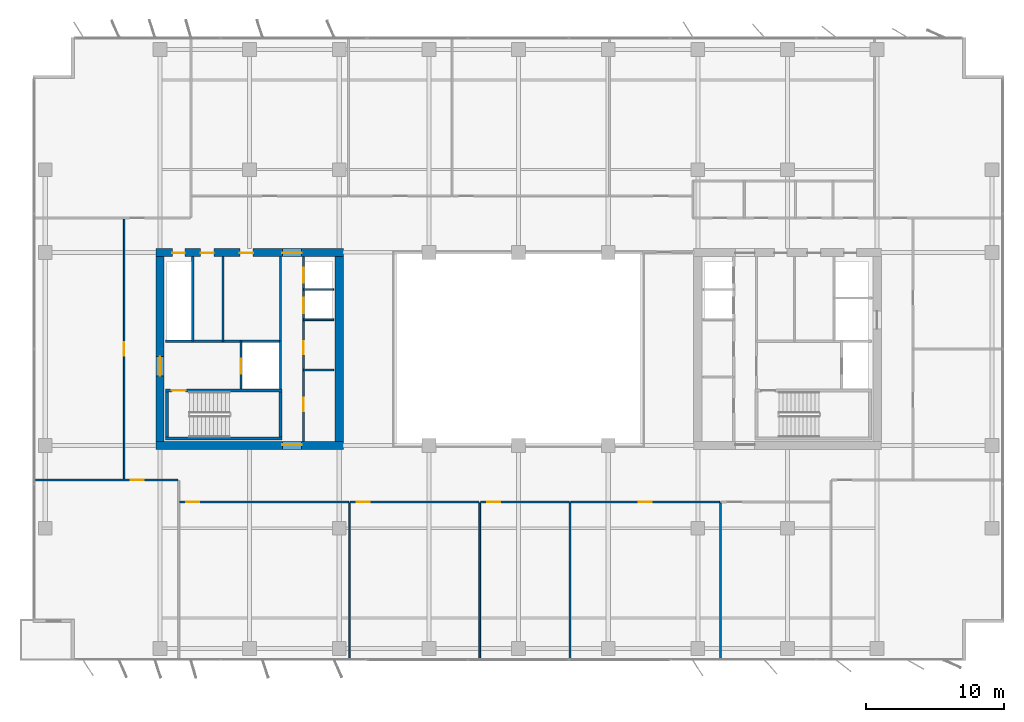
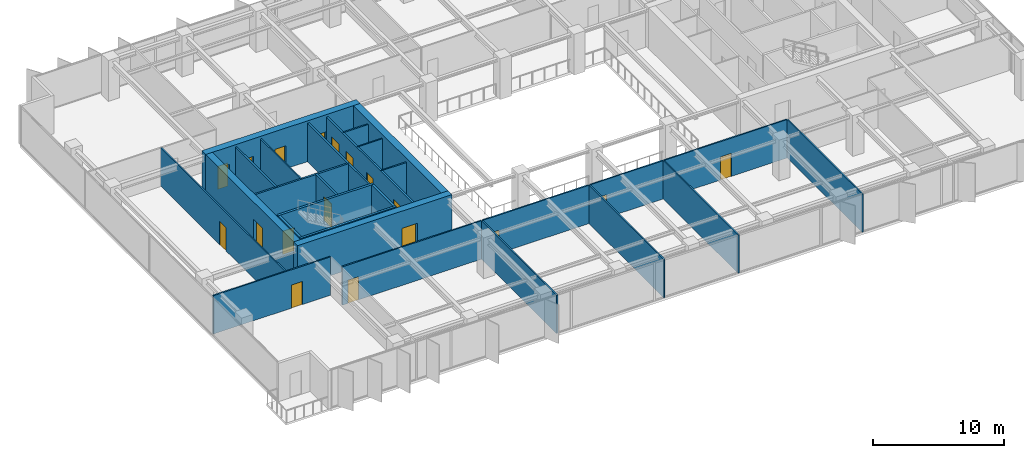
# One storey, part 15 of 22: 28 walls, 18 doors, 18 openings.
"""IFC4 building model written with IfcOpenShell, lengths in metres."""

from ifc_helpers import new_model, si_unit, direction, frame, frame_2d, origin, place, context, subcontext, project, spatial, rectangle, extrude, material, layer, layer_set, type_object, element, fill, save


model = new_model("IFC4")

# Units and contexts
model_context = context("Model", 3, precision=1e-05, world=origin(), true_north=direction((0.0, 1.0)))
body_context = subcontext(model_context, "Body", "Model", "MODEL_VIEW")
ifc_project = project(units=[si_unit("LENGTHUNIT", "METRE"), si_unit("AREAUNIT", "SQUARE_METRE"), si_unit("VOLUMEUNIT", "CUBIC_METRE"), si_unit("PLANEANGLEUNIT", "RADIAN"), si_unit("MASSUNIT", "GRAM", prefix="KILO")], contexts=[model_context])

# Site, building, storey
site_placement = place(None, origin())
site = spatial("IfcSite", under=ifc_project, at=site_placement, CompositionType="ELEMENT")
building_placement = place(site_placement, origin())
building = spatial("IfcBuilding", under=site, at=building_placement, Name="Putna Gate Headquarters", CompositionType="ELEMENT")
storey_placement = place(building_placement, frame((0.0, 0.0, 163.199951171875)))
storey = spatial("IfcBuildingStorey", under=building, at=storey_placement, Name="L40", CompositionType="ELEMENT", Elevation=163.199951171875)

# Wall, opening, door
ifc_material_1 = material(Name="Concrete C50/60", Category="concrete")
ifc_layer_1 = layer(ifc_material_1, 0.60009765625)
ifc_layer_set_1 = layer_set([ifc_layer_1], Name="Concrete C50/60")
wall_type_1 = type_object("IfcWallType", Name="WALL-CORE-600", PredefinedType="SHEAR", material=ifc_layer_set_1)
wall_1_placement = place(storey_placement, frame((12.699951171875, 19.0, 0.0), z_axis=(0.0, 0.0, 1.0), x_axis=(1.0, 0.0, 0.0)))
wall_1 = element("IfcWall", 1, at=wall_1_placement, inside=storey, type_object=wall_type_1, Name="L40 WC Split Core Shear Wall S", PredefinedType="SHEAR", context=body_context, shape_type="SweptSolid", body=[
    extrude(rectangle(XDim=13.60009765625, YDim=0.60009765625, at=frame_2d((6.800048828125, 0.0))), origin(), (0.0, 0.0, 1.0), 3.800048828125),
])
opening_1_placement = place(wall_1_placement, frame((9.179931640625, 0.0, 0.0)))
opening_1 = element("IfcOpeningElement", 2, at=opening_1_placement, cuts=wall_1, Name="Opening FDD-140", PredefinedType="OPENING", context=body_context, shape_type="SweptSolid", body=[
    extrude(rectangle(XDim=1.39990234375, YDim=2.199951171875, at=frame_2d((0.699951171875, 1.10009765625))), frame((0.0, 0.31005859375, 0.0), z_axis=(0.0, -1.0, 0.0), x_axis=(1.0, 0.0, 0.0)), (0.0, 0.0, 1.0), 0.6201171875),
])
ifc_material_2 = material(Name="Double steel fire door", Category="steel")
door_type_1 = type_object("IfcDoorType", Name="DOOR-FIRE-DBL-1400", OperationType="DOUBLE_DOOR_SINGLE_SWING", PredefinedType="DOOR", material=ifc_material_2)
door_1_placement = place(opening_1_placement, origin())
door_1 = element("IfcDoor", 3, at=door_1_placement, inside=storey, type_object=door_type_1, Name="L40 West Lift Lobby South Door", OperationType="DOUBLE_DOOR_SINGLE_SWING", OverallHeight=2.199951171875, OverallWidth=1.39990234375, PredefinedType="DOOR", context=body_context, shape_type="SweptSolid", body=[
    extrude(rectangle(XDim=1.39990234375, YDim=2.199951171875, at=frame_2d((0.699951171875, 1.10009765625))), frame((0.0, 0.0751953125, 0.0), z_axis=(0.0, -1.0, 0.0), x_axis=(1.0, 0.0, 0.0)), (0.0, 0.0, 1.0), 0.050048828125),
])
fill(opening_1, door_1)

# Wall, openings, doors
wall_2_placement = place(storey_placement, frame((12.699951171875, 33.0, 0.0), z_axis=(0.0, 0.0, 1.0), x_axis=(1.0, 0.0, 0.0)))
wall_2 = element("IfcWall", 4, at=wall_2_placement, inside=storey, type_object=wall_type_1, Name="L40 WC Split Core Shear Wall N", PredefinedType="SHEAR", context=body_context, shape_type="SweptSolid", body=[
    extrude(rectangle(XDim=13.60009765625, YDim=0.60009765625, at=frame_2d((6.800048828125, 0.0))), origin(), (0.0, 0.0, 1.0), 3.800048828125),
])
opening_2_placement = place(wall_2_placement, frame((1.199951171875, 0.0, 0.0)))
opening_2 = element("IfcOpeningElement", 5, at=opening_2_placement, cuts=wall_2, Name="Opening RD-90", PredefinedType="OPENING", context=body_context, shape_type="SweptSolid", body=[
    extrude(rectangle(XDim=0.89990234375, YDim=2.14990234375, at=frame_2d((0.449951171875, 1.074951171875))), frame((0.0, 0.31005859375, 0.0), z_axis=(0.0, -1.0, 0.0), x_axis=(1.0, 0.0, 0.0)), (0.0, 0.0, 1.0), 0.6201171875),
])
opening_3_placement = place(wall_2_placement, frame((3.25, 0.0, 0.0)))
opening_3 = element("IfcOpeningElement", 6, at=opening_3_placement, cuts=wall_2, Name="Opening IDS-95", PredefinedType="OPENING", context=body_context, shape_type="SweptSolid", body=[
    extrude(rectangle(XDim=0.949951171875, YDim=2.14990234375, at=frame_2d((0.47509765625, 1.074951171875))), frame((0.0, 0.31005859375, 0.0), z_axis=(0.0, -1.0, 0.0), x_axis=(1.0, 0.0, 0.0)), (0.0, 0.0, 1.0), 0.6201171875),
])
opening_4_placement = place(wall_2_placement, frame((6.10009765625, 0.0, 0.0)))
opening_4 = element("IfcOpeningElement", 7, at=opening_4_placement, cuts=wall_2, Name="Opening IDS-95", PredefinedType="OPENING", context=body_context, shape_type="SweptSolid", body=[
    extrude(rectangle(XDim=0.949951171875, YDim=2.14990234375, at=frame_2d((0.47509765625, 1.074951171875))), frame((0.0, 0.31005859375, 0.0), z_axis=(0.0, -1.0, 0.0), x_axis=(1.0, 0.0, 0.0)), (0.0, 0.0, 1.0), 0.6201171875),
])
opening_5_placement = place(wall_2_placement, frame((9.179931640625, 0.0, 0.0)))
opening_5 = element("IfcOpeningElement", 8, at=opening_5_placement, cuts=wall_2, Name="Opening FDD-140", PredefinedType="OPENING", context=body_context, shape_type="SweptSolid", body=[
    extrude(rectangle(XDim=1.39990234375, YDim=2.199951171875, at=frame_2d((0.699951171875, 1.10009765625))), frame((0.0, 0.31005859375, 0.0), z_axis=(0.0, -1.0, 0.0), x_axis=(1.0, 0.0, 0.0)), (0.0, 0.0, 1.0), 0.6201171875),
])
door_2_placement = place(opening_5_placement, origin())
door_2 = element("IfcDoor", 9, at=door_2_placement, inside=storey, type_object=door_type_1, Name="L40 West Lift Lobby North Door", OperationType="DOUBLE_DOOR_SINGLE_SWING", OverallHeight=2.199951171875, OverallWidth=1.39990234375, PredefinedType="DOOR", context=body_context, shape_type="SweptSolid", body=[
    extrude(rectangle(XDim=1.39990234375, YDim=2.199951171875, at=frame_2d((0.699951171875, 1.10009765625))), frame((0.0, -0.02490234375, 0.0), z_axis=(0.0, -1.0, 0.0), x_axis=(1.0, 0.0, 0.0)), (0.0, 0.0, 1.0), 0.050048828125),
])
fill(opening_5, door_2)
ifc_material_3 = material(Name="Fire-rated service timber door", Category="wood")
door_type_2 = type_object("IfcDoorType", Name="DOOR-INT-950", OperationType="NOTDEFINED", PredefinedType="DOOR", material=ifc_material_3)
door_3_placement = place(opening_3_placement, origin())
door_3 = element("IfcDoor", 10, at=door_3_placement, inside=storey, type_object=door_type_2, Name="L40 Archive Store Door", OperationType="SINGLE_SWING_LEFT", OverallHeight=2.14990234375, OverallWidth=0.949951171875, PredefinedType="DOOR", context=body_context, shape_type="SweptSolid", body=[
    extrude(rectangle(XDim=0.949951171875, YDim=2.14990234375, at=frame_2d((0.47509765625, 1.074951171875))), frame((0.0, -0.02490234375, 0.0), z_axis=(0.0, -1.0, 0.0), x_axis=(1.0, 0.0, 0.0)), (0.0, 0.0, 1.0), 0.050048828125),
])
fill(opening_3, door_3)
door_4_placement = place(opening_4_placement, origin())
door_4 = element("IfcDoor", 11, at=door_4_placement, inside=storey, type_object=door_type_2, Name="L40 Switchgear Plant Door", OperationType="SINGLE_SWING_RIGHT", OverallHeight=2.14990234375, OverallWidth=0.949951171875, PredefinedType="DOOR", context=body_context, shape_type="SweptSolid", body=[
    extrude(rectangle(XDim=0.949951171875, YDim=2.14990234375, at=frame_2d((0.47509765625, 1.074951171875))), frame((0.0, -0.02490234375, 0.0), z_axis=(0.0, -1.0, 0.0), x_axis=(1.0, 0.0, 0.0)), (0.0, 0.0, 1.0), 0.050048828125),
])
fill(opening_4, door_4)
ifc_material_4 = material(Name="Steel riser access fire door", Category="steel")
door_type_3 = type_object("IfcDoorType", Name="DOOR-RISER-900", OperationType="NOTDEFINED", PredefinedType="DOOR", material=ifc_material_4)
door_5_placement = place(opening_2_placement, origin())
door_5 = element("IfcDoor", 12, at=door_5_placement, inside=storey, type_object=door_type_3, Name="L40 West Riser Access Door", OperationType="SINGLE_SWING_RIGHT", OverallHeight=2.14990234375, OverallWidth=0.89990234375, PredefinedType="DOOR", context=body_context, shape_type="SweptSolid", body=[
    extrude(rectangle(XDim=0.89990234375, YDim=2.14990234375, at=frame_2d((0.449951171875, 1.074951171875))), frame((0.0, -0.02490234375, 0.0), z_axis=(0.0, -1.0, 0.0), x_axis=(1.0, 0.0, 0.0)), (0.0, 0.0, 1.0), 0.050048828125),
])
fill(opening_2, door_5)

# Wall, opening, door
wall_3_placement = place(storey_placement, frame((13.0, 19.300048828125, 0.0), z_axis=(0.0, 0.0, 1.0), x_axis=(0.0, 1.0, 0.0)))
wall_3 = element("IfcWall", 13, at=wall_3_placement, inside=storey, type_object=wall_type_1, Name="L40 WC Split Core Shear Wall W", PredefinedType="SHEAR", context=body_context, shape_type="SweptSolid", body=[
    extrude(rectangle(XDim=13.39990234375, YDim=0.60009765625, at=frame_2d((6.699951171875, 0.0))), origin(), (0.0, 0.0, 1.0), 3.800048828125),
])
opening_6_placement = place(wall_3_placement, frame((4.75, 0.0, 0.0)))
opening_6 = element("IfcOpeningElement", 14, at=opening_6_placement, cuts=wall_3, Name="Opening FDD-140", PredefinedType="OPENING", context=body_context, shape_type="SweptSolid", body=[
    extrude(rectangle(XDim=1.39990234375, YDim=2.199951171875, at=frame_2d((0.699951171875, 1.10009765625))), frame((0.0, 0.31005859375, 0.0), z_axis=(0.0, -1.0, 0.0), x_axis=(1.0, 0.0, 0.0)), (0.0, 0.0, 1.0), 0.6201171875),
])
door_6_placement = place(opening_6_placement, origin())
door_6 = element("IfcDoor", 15, at=door_6_placement, inside=storey, type_object=door_type_1, Name="L40 West Firefighting Lobby Door", OperationType="DOUBLE_DOOR_SINGLE_SWING", OverallHeight=2.199951171875, OverallWidth=1.39990234375, PredefinedType="DOOR", context=body_context, shape_type="SweptSolid", body=[
    extrude(rectangle(XDim=1.39990234375, YDim=2.199951171875, at=frame_2d((0.699951171875, 1.10009765625))), frame((0.0, 0.02490234375, 0.0), z_axis=(0.0, -1.0, 0.0), x_axis=(1.0, 0.0, 0.0)), (0.0, 0.0, 1.0), 0.050048828125),
])
fill(opening_6, door_6)

# Walls
wall_4_placement = place(storey_placement, frame((26.0, 19.300048828125, 0.0), z_axis=(0.0, 0.0, 1.0), x_axis=(0.0, 1.0, 0.0)))
element("IfcWall", 16, at=wall_4_placement, inside=storey, type_object=wall_type_1, Name="L40 WC Split Core Shear Wall E", PredefinedType="SHEAR", context=body_context, shape_type="SweptSolid", body=[
    extrude(rectangle(XDim=13.39990234375, YDim=0.60009765625, at=frame_2d((6.699951171875, 0.0))), origin(), (0.0, 0.0, 1.0), 3.800048828125),
])
ifc_material_5 = material(Name="Acoustic gypsum board on metal stud")
ifc_layer_2 = layer(ifc_material_5, 0.1201171875)
ifc_layer_set_2 = layer_set([ifc_layer_2], Name="Acoustic gypsum board on metal stud")
wall_type_2 = type_object("IfcWallType", Name="WALL-PART-120", PredefinedType="PARTITIONING", material=ifc_layer_set_2)
for number, where, z_axis, x_axis, name in (
    (17, (26.736083984375, 3.419921875, 0.0), (0.0, 0.0, 1.0), (0.0, 1.0, 0.0), "L40 Interior Wall PART-L40-SB-DIV-02"),
    (18, (36.19140625, 3.419921875, 0.0), (0.0, 0.0, 1.0), (0.0, 1.0, 0.0), "L40 Interior Wall PART-L40-SB-DIV-03"),
    (19, (42.72607421875, 3.419921875, 0.0), (0.0, 0.0, 1.0), (0.0, 1.0, 0.0), "L40 Interior Wall PART-L40-SB-DIV-04"),
    (20, (53.6455078125, 3.419921875, 0.0), (0.0, 0.0, 1.0), (0.0, 1.0, 0.0), "L40 Interior Wall PART-L40-SB-DIV-05"),
):
    element("IfcWall", number, at=place(storey_placement, frame(where, z_axis=z_axis, x_axis=x_axis)), inside=storey, type_object=wall_type_2, Name=name, PredefinedType="PARTITIONING", context=body_context, shape_type="SweptSolid", body=[
        extrude(rectangle(XDim=11.420166015625, YDim=0.1201171875, at=frame_2d((5.7099609375, 0.0))), origin(), (0.0, 0.0, 1.0), 3.572021484375),
    ])
ifc_material_6 = material(Name="Fire-rated shaftwall gypsum board on metal stud")
ifc_layer_3 = layer(ifc_material_6, 0.1201171875)
ifc_layer_set_3 = layer_set([ifc_layer_3], Name="Fire-rated shaftwall gypsum board on metal stud")
wall_type_3 = type_object("IfcWallType", Name="WALL-PART-120-EI120", PredefinedType="PARTITIONING", material=ifc_layer_set_3)
wall_5_placement = place(storey_placement, frame((23.39990234375, 30.31005859375, 0.0), z_axis=(0.0, 0.0, 1.0), x_axis=(1.0, 0.0, 0.0)))
element("IfcWall", 21, at=wall_5_placement, inside=storey, type_object=wall_type_3, Name="L40 Interior Wall CWINT-L40-WC-LF09-DIV", PredefinedType="PARTITIONING", context=body_context, shape_type="SweptSolid", body=[
    extrude(rectangle(XDim=2.2001953125, YDim=0.1201171875, at=frame_2d((1.10009765625, 0.0))), origin(), (0.0, 0.0, 1.0), 3.572021484375),
])
ifc_material_7 = material(Name="Fire-rated gypsum board on metal stud")
ifc_layer_4 = layer(ifc_material_7, 0.1201171875)
ifc_layer_set_4 = layer_set([ifc_layer_4], Name="Fire-rated gypsum board on metal stud")
wall_type_4 = type_object("IfcWallType", Name="WALL-PART-120-RATED", PredefinedType="PARTITIONING", material=ifc_layer_set_4)
wall_6_placement = place(storey_placement, frame((17.570068359375, 26.56005859375, 0.0), z_axis=(0.0, 0.0, 1.0), x_axis=(0.0, 1.0, 0.0)))
element("IfcWall", 22, at=wall_6_placement, inside=storey, type_object=wall_type_4, Name="L40 Interior Wall CWINT-L40-WC-K1-DIV", PredefinedType="PARTITIONING", context=body_context, shape_type="SweptSolid", body=[
    extrude(rectangle(XDim=6.139892578125, YDim=0.1201171875, at=frame_2d((3.06982421875, 0.0))), origin(), (0.0, 0.0, 1.0), 3.572021484375),
])
for number, where, z_axis, x_axis, name in (
    (23, (23.39990234375, 24.469970703125, 0.0), (0.0, 0.0, 1.0), (1.0, 0.0, 0.0), "L40 Interior Wall CWINT-L40-WC-REUSE-DIV"),
    (24, (23.39990234375, 28.1201171875, 0.0), (0.0, 0.0, 1.0), (1.0, 0.0, 0.0), "L40 Interior Wall CWINT-L40-WC-LF06-DIV"),
):
    element("IfcWall", number, at=place(storey_placement, frame(where, z_axis=z_axis, x_axis=x_axis)), inside=storey, type_object=wall_type_4, Name=name, PredefinedType="PARTITIONING", context=body_context, shape_type="SweptSolid", body=[
        extrude(rectangle(XDim=2.2001953125, YDim=0.1201171875, at=frame_2d((1.10009765625, 0.0))), origin(), (0.0, 0.0, 1.0), 3.572021484375),
    ])

# Wall, opening, door
wall_7_placement = place(storey_placement, frame((3.97998046875, 16.5, 0.0), z_axis=(0.0, 0.0, 1.0), x_axis=(1.0, 0.0, 0.0)))
wall_7 = element("IfcWall", 25, at=wall_7_placement, inside=storey, type_object=wall_type_4, Name="L40 Interior Wall PART-L40-SB-CW-01", PredefinedType="PARTITIONING", context=body_context, shape_type="SweptSolid", body=[
    extrude(rectangle(XDim=10.31982421875, YDim=0.1201171875, at=frame_2d((5.159912109375, 0.0))), origin(), (0.0, 0.0, 1.0), 3.572021484375),
])
opening_7_placement = place(wall_7_placement, frame((6.89990234375, 0.0, 0.0)))
opening_7 = element("IfcOpeningElement", 26, at=opening_7_placement, cuts=wall_7, Name="Opening FD-95", PredefinedType="OPENING", context=body_context, shape_type="SweptSolid", body=[
    extrude(rectangle(XDim=0.949951171875, YDim=2.14990234375, at=frame_2d((0.47509765625, 1.074951171875))), frame((0.0, 0.070068359375, 0.0), z_axis=(0.0, -1.0, 0.0), x_axis=(1.0, 0.0, 0.0)), (0.0, 0.0, 1.0), 0.14013671875),
])
ifc_material_8 = material(Name="Acoustic timber fire door", Category="wood")
door_type_4 = type_object("IfcDoorType", Name="DOOR-FIRE-950", OperationType="NOTDEFINED", PredefinedType="DOOR", material=ifc_material_8)
door_7_placement = place(opening_7_placement, origin())
door_7 = element("IfcDoor", 27, at=door_7_placement, inside=storey, type_object=door_type_4, Name="L40 Cellular Office 3 Door", OperationType="SINGLE_SWING_RIGHT", OverallHeight=2.14990234375, OverallWidth=0.949951171875, PredefinedType="DOOR", context=body_context, shape_type="SweptSolid", body=[
    extrude(rectangle(XDim=0.949951171875, YDim=2.14990234375, at=frame_2d((0.47509765625, 1.074951171875))), frame((0.0, 0.02490234375, 0.0), z_axis=(0.0, -1.0, 0.0), x_axis=(1.0, 0.0, 0.0)), (0.0, 0.0, 1.0), 0.050048828125),
])
fill(opening_7, door_7)

wall_8_placement = place(storey_placement, frame((14.419921875, 14.89990234375, 0.0), z_axis=(0.0, 0.0, 1.0), x_axis=(1.0, 0.0, 0.0)))
wall_8 = element("IfcWall", 28, at=wall_8_placement, inside=storey, type_object=wall_type_4, Name="L40 Interior Wall PART-L40-SB-CW-02", PredefinedType="PARTITIONING", context=body_context, shape_type="SweptSolid", body=[
    extrude(rectangle(XDim=12.256103515625, YDim=0.1201171875, at=frame_2d((6.1279296875, 0.0))), origin(), (0.0, 0.0, 1.0), 3.572021484375),
])
opening_8_placement = place(wall_8_placement, frame((0.47998046875, 0.0, 0.0)))
opening_8 = element("IfcOpeningElement", 29, at=opening_8_placement, cuts=wall_8, Name="Opening FD-95", PredefinedType="OPENING", context=body_context, shape_type="SweptSolid", body=[
    extrude(rectangle(XDim=0.949951171875, YDim=2.14990234375, at=frame_2d((0.47509765625, 1.074951171875))), frame((0.0, 0.070068359375, 0.0), z_axis=(0.0, -1.0, 0.0), x_axis=(1.0, 0.0, 0.0)), (0.0, 0.0, 1.0), 0.14013671875),
])
door_8_placement = place(opening_8_placement, origin())
door_8 = element("IfcDoor", 30, at=door_8_placement, inside=storey, type_object=door_type_4, Name="L40 Conference Meeting Room 3 Door", OperationType="SINGLE_SWING_LEFT", OverallHeight=2.14990234375, OverallWidth=0.949951171875, PredefinedType="DOOR", context=body_context, shape_type="SweptSolid", body=[
    extrude(rectangle(XDim=0.949951171875, YDim=2.14990234375, at=frame_2d((0.47509765625, 1.074951171875))), frame((0.0, 0.02490234375, 0.0), z_axis=(0.0, -1.0, 0.0), x_axis=(1.0, 0.0, 0.0)), (0.0, 0.0, 1.0), 0.050048828125),
])
fill(opening_8, door_8)

wall_9_placement = place(storey_placement, frame((26.7958984375, 14.89990234375, 0.0), z_axis=(0.0, 0.0, 1.0), x_axis=(1.0, 0.0, 0.0)))
wall_9 = element("IfcWall", 31, at=wall_9_placement, inside=storey, type_object=wall_type_4, Name="L40 Interior Wall PART-L40-SB-CW-03", PredefinedType="PARTITIONING", context=body_context, shape_type="SweptSolid", body=[
    extrude(rectangle(XDim=9.33544921875, YDim=0.1201171875, at=frame_2d((4.667724609375, 0.0))), origin(), (0.0, 0.0, 1.0), 3.572021484375),
])
opening_9_placement = place(wall_9_placement, frame((0.47998046875, 0.0, 0.0)))
opening_9 = element("IfcOpeningElement", 32, at=opening_9_placement, cuts=wall_9, Name="Opening FD-95", PredefinedType="OPENING", context=body_context, shape_type="SweptSolid", body=[
    extrude(rectangle(XDim=0.949951171875, YDim=2.14990234375, at=frame_2d((0.47509765625, 1.074951171875))), frame((0.0, 0.070068359375, 0.0), z_axis=(0.0, -1.0, 0.0), x_axis=(1.0, 0.0, 0.0)), (0.0, 0.0, 1.0), 0.14013671875),
])
door_9_placement = place(opening_9_placement, origin())
door_9 = element("IfcDoor", 33, at=door_9_placement, inside=storey, type_object=door_type_4, Name="L40 Conference Meeting Room 4 Door", OperationType="SINGLE_SWING_RIGHT", OverallHeight=2.14990234375, OverallWidth=0.949951171875, PredefinedType="DOOR", context=body_context, shape_type="SweptSolid", body=[
    extrude(rectangle(XDim=0.949951171875, YDim=2.14990234375, at=frame_2d((0.47509765625, 1.074951171875))), frame((0.0, 0.02490234375, 0.0), z_axis=(0.0, -1.0, 0.0), x_axis=(1.0, 0.0, 0.0)), (0.0, 0.0, 1.0), 0.050048828125),
])
fill(opening_9, door_9)

wall_10_placement = place(storey_placement, frame((36.25146484375, 14.89990234375, 0.0), z_axis=(0.0, 0.0, 1.0), x_axis=(1.0, 0.0, 0.0)))
wall_10 = element("IfcWall", 34, at=wall_10_placement, inside=storey, type_object=wall_type_4, Name="L40 Interior Wall PART-L40-SB-CW-04", PredefinedType="PARTITIONING", context=body_context, shape_type="SweptSolid", body=[
    extrude(rectangle(XDim=6.41455078125, YDim=0.1201171875, at=frame_2d((3.207275390625, 0.0))), origin(), (0.0, 0.0, 1.0), 3.572021484375),
])
opening_10_placement = place(wall_10_placement, frame((0.47998046875, 0.0, 0.0)))
opening_10 = element("IfcOpeningElement", 35, at=opening_10_placement, cuts=wall_10, Name="Opening FD-95", PredefinedType="OPENING", context=body_context, shape_type="SweptSolid", body=[
    extrude(rectangle(XDim=0.949951171875, YDim=2.14990234375, at=frame_2d((0.47509765625, 1.074951171875))), frame((0.0, 0.070068359375, 0.0), z_axis=(0.0, -1.0, 0.0), x_axis=(1.0, 0.0, 0.0)), (0.0, 0.0, 1.0), 0.14013671875),
])
door_10_placement = place(opening_10_placement, origin())
door_10 = element("IfcDoor", 36, at=door_10_placement, inside=storey, type_object=door_type_4, Name="L40 Collaborative Breakout Lounge 1 Door", OperationType="SINGLE_SWING_LEFT", OverallHeight=2.14990234375, OverallWidth=0.949951171875, PredefinedType="DOOR", context=body_context, shape_type="SweptSolid", body=[
    extrude(rectangle(XDim=0.949951171875, YDim=2.14990234375, at=frame_2d((0.47509765625, 1.074951171875))), frame((0.0, 0.02490234375, 0.0), z_axis=(0.0, -1.0, 0.0), x_axis=(1.0, 0.0, 0.0)), (0.0, 0.0, 1.0), 0.050048828125),
])
fill(opening_10, door_10)

wall_11_placement = place(storey_placement, frame((42.7861328125, 14.89990234375, 0.0), z_axis=(0.0, 0.0, 1.0), x_axis=(1.0, 0.0, 0.0)))
wall_11 = element("IfcWall", 37, at=wall_11_placement, inside=storey, type_object=wall_type_4, Name="L40 Interior Wall PART-L40-SB-CW-05", PredefinedType="PARTITIONING", context=body_context, shape_type="SweptSolid", body=[
    extrude(rectangle(XDim=10.79931640625, YDim=0.1201171875, at=frame_2d((5.399658203125, 0.0))), origin(), (0.0, 0.0, 1.0), 3.572021484375),
])
opening_11_placement = place(wall_11_placement, frame((4.924560546875, 0.0, 0.0)))
opening_11 = element("IfcOpeningElement", 38, at=opening_11_placement, cuts=wall_11, Name="Opening FD-95", PredefinedType="OPENING", context=body_context, shape_type="SweptSolid", body=[
    extrude(rectangle(XDim=0.949951171875, YDim=2.14990234375, at=frame_2d((0.47509765625, 1.074951171875))), frame((0.0, 0.070068359375, 0.0), z_axis=(0.0, -1.0, 0.0), x_axis=(1.0, 0.0, 0.0)), (0.0, 0.0, 1.0), 0.14013671875),
])
door_11_placement = place(opening_11_placement, origin())
door_11 = element("IfcDoor", 39, at=door_11_placement, inside=storey, type_object=door_type_4, Name="L40 Collaborative Breakout Lounge 2 Door", OperationType="SINGLE_SWING_RIGHT", OverallHeight=2.14990234375, OverallWidth=0.949951171875, PredefinedType="DOOR", context=body_context, shape_type="SweptSolid", body=[
    extrude(rectangle(XDim=0.949951171875, YDim=2.14990234375, at=frame_2d((0.47509765625, 1.074951171875))), frame((0.0, 0.02490234375, 0.0), z_axis=(0.0, -1.0, 0.0), x_axis=(1.0, 0.0, 0.0)), (0.0, 0.0, 1.0), 0.050048828125),
])
fill(opening_11, door_11)

wall_12_placement = place(storey_placement, frame((10.39990234375, 16.5, 0.0), z_axis=(0.0, 0.0, 1.0), x_axis=(0.0, 1.0, 0.0)))
wall_12 = element("IfcWall", 40, at=wall_12_placement, inside=storey, type_object=wall_type_4, Name="L40 Interior Wall PART-L40-WW-CW-1", PredefinedType="PARTITIONING", context=body_context, shape_type="SweptSolid", body=[
    extrude(rectangle(XDim=19.0, YDim=0.1201171875, at=frame_2d((9.5, 0.0))), origin(), (0.0, 0.0, 1.0), 3.572021484375),
])
opening_12_placement = place(wall_12_placement, frame((9.02490234375, 0.0, 0.0)))
opening_12 = element("IfcOpeningElement", 41, at=opening_12_placement, cuts=wall_12, Name="Opening FD-95", PredefinedType="OPENING", context=body_context, shape_type="SweptSolid", body=[
    extrude(rectangle(XDim=0.949951171875, YDim=2.14990234375, at=frame_2d((0.47509765625, 1.074951171875))), frame((0.0, 0.070068359375, 0.0), z_axis=(0.0, -1.0, 0.0), x_axis=(1.0, 0.0, 0.0)), (0.0, 0.0, 1.0), 0.14013671875),
])
door_12_placement = place(opening_12_placement, origin())
door_12 = element("IfcDoor", 42, at=door_12_placement, inside=storey, type_object=door_type_4, Name="L40 West Project Meeting Room 1 Door", OperationType="SINGLE_SWING_LEFT", OverallHeight=2.14990234375, OverallWidth=0.949951171875, PredefinedType="DOOR", context=body_context, shape_type="SweptSolid", body=[
    extrude(rectangle(XDim=0.949951171875, YDim=2.14990234375, at=frame_2d((0.47509765625, 1.074951171875))), frame((0.0, 0.02490234375, 0.0), z_axis=(0.0, -1.0, 0.0), x_axis=(1.0, 0.0, 0.0)), (0.0, 0.0, 1.0), 0.050048828125),
])
fill(opening_12, door_12)

# Wall
ifc_material_9 = material(Name="Concrete C40/50", Category="concrete")
ifc_layer_5 = layer(ifc_material_9, 0.159912109375)
ifc_layer_set_5 = layer_set([ifc_layer_5], Name="Concrete C40/50")
wall_type_5 = type_object("IfcWallType", Name="WALL-SHAFT-160", PredefinedType="STANDARD", material=ifc_layer_set_5)
wall_13_placement = place(storey_placement, frame((21.739990234375, 23.090087890625, 0.0), z_axis=(0.0, 0.0, 1.0), x_axis=(0.0, 1.0, 0.0)))
element("IfcWall", 43, at=wall_13_placement, inside=storey, type_object=wall_type_5, Name="L40 Interior Wall CWINT-L40-WC-FFL-E", PredefinedType="STANDARD", context=body_context, shape_type="SweptSolid", body=[
    extrude(rectangle(XDim=3.469970703125, YDim=0.159912109375, at=frame_2d((1.73486328125, 0.0))), origin(), (0.0, 0.0, 1.0), 3.572021484375),
])

# Wall, opening, door
wall_14_placement = place(storey_placement, frame((18.8798828125, 23.090087890625, 0.0), z_axis=(0.0, 0.0, 1.0), x_axis=(0.0, 1.0, 0.0)))
wall_14 = element("IfcWall", 44, at=wall_14_placement, inside=storey, type_object=wall_type_5, Name="L40 Interior Wall CWINT-L40-WC-LF13-W", PredefinedType="STANDARD", context=body_context, shape_type="SweptSolid", body=[
    extrude(rectangle(XDim=3.469970703125, YDim=0.159912109375, at=frame_2d((1.73486328125, 0.0))), origin(), (0.0, 0.0, 1.0), 3.572021484375),
])
opening_13_placement = place(wall_14_placement, frame((1.10009765625, 0.0, 0.0)))
opening_13 = element("IfcOpeningElement", 45, at=opening_13_placement, cuts=wall_14, Name="Opening LD-1", PredefinedType="OPENING", context=body_context, shape_type="SweptSolid", body=[
    extrude(rectangle(XDim=1.10009765625, YDim=2.199951171875, at=frame_2d((0.550048828125, 1.10009765625))), frame((0.0, 0.08984375, 0.0), z_axis=(0.0, -1.0, 0.0), x_axis=(1.0, 0.0, 0.0)), (0.0, 0.0, 1.0), 0.179931640625),
])
ifc_material_10 = material(Name="Brushed bronze stainless lift landing door")
door_type_5 = type_object("IfcDoorType", Name="DOOR-LIFT-1100", OperationType="DOUBLE_DOOR_SLIDING", PredefinedType="DOOR", material=ifc_material_10)
door_13_placement = place(opening_13_placement, origin())
door_13 = element("IfcDoor", 46, at=door_13_placement, inside=storey, type_object=door_type_5, Name="L40 Lift Landing Door LD-13", OperationType="DOUBLE_DOOR_SLIDING", OverallHeight=2.199951171875, OverallWidth=1.10009765625, PredefinedType="DOOR", context=body_context, shape_type="SweptSolid", body=[
    extrude(rectangle(XDim=1.10009765625, YDim=2.199951171875, at=frame_2d((0.550048828125, 1.10009765625))), frame((0.0, 0.02490234375, 0.0), z_axis=(0.0, -1.0, 0.0), x_axis=(1.0, 0.0, 0.0)), (0.0, 0.0, 1.0), 0.050048828125),
])
fill(opening_13, door_13)

# Walls
wall_15_placement = place(storey_placement, frame((13.39990234375, 26.56005859375, 0.0), z_axis=(0.0, 0.0, 1.0), x_axis=(1.0, 0.0, 0.0)))
element("IfcWall", 47, at=wall_15_placement, inside=storey, type_object=wall_type_5, Name="L40 Interior Wall CWINT-L40-WC-FFL-N", PredefinedType="STANDARD", context=body_context, shape_type="SweptSolid", body=[
    extrude(rectangle(XDim=8.340087890625, YDim=0.159912109375, at=frame_2d((4.169921875, 0.0))), origin(), (0.0, 0.0, 1.0), 3.572021484375),
])
for number, where, z_axis, x_axis, name in (
    (48, (15.3798828125, 26.56005859375, 0.0), (0.0, 0.0, 1.0), (0.0, 1.0, 0.0), "L40 Interior Wall CWINT-L40-WC-RISER-E"),
    (49, (21.739990234375, 26.56005859375, 0.0), (0.0, 0.0, 1.0), (0.0, 1.0, 0.0), "L40 Interior Wall CWINT-L40-WC-LOB-W"),
):
    element("IfcWall", number, at=place(storey_placement, frame(where, z_axis=z_axis, x_axis=x_axis)), inside=storey, type_object=wall_type_5, Name=name, PredefinedType="STANDARD", context=body_context, shape_type="SweptSolid", body=[
        extrude(rectangle(XDim=6.139892578125, YDim=0.159912109375, at=frame_2d((3.06982421875, 0.0))), origin(), (0.0, 0.0, 1.0), 3.572021484375),
    ])

# Wall, openings, doors
wall_16_placement = place(storey_placement, frame((23.39990234375, 19.300048828125, 0.0), z_axis=(0.0, 0.0, 1.0), x_axis=(0.0, 1.0, 0.0)))
wall_16 = element("IfcWall", 50, at=wall_16_placement, inside=storey, type_object=wall_type_5, Name="L40 Interior Wall CWINT-L40-WC-PL-WALL", PredefinedType="STANDARD", context=body_context, shape_type="SweptSolid", body=[
    extrude(rectangle(XDim=13.39990234375, YDim=0.159912109375, at=frame_2d((6.699951171875, 0.0))), origin(), (0.0, 0.0, 1.0), 3.572021484375),
])
opening_14_placement = place(wall_16_placement, frame((2.199951171875, 0.0, 0.0)))
opening_14 = element("IfcOpeningElement", 51, at=opening_14_placement, cuts=wall_16, Name="Opening IDS-95", PredefinedType="OPENING", context=body_context, shape_type="SweptSolid", body=[
    extrude(rectangle(XDim=0.949951171875, YDim=2.14990234375, at=frame_2d((0.47509765625, 1.074951171875))), frame((0.0, 0.08984375, 0.0), z_axis=(0.0, -1.0, 0.0), x_axis=(1.0, 0.0, 0.0)), (0.0, 0.0, 1.0), 0.179931640625),
])
opening_15_placement = place(wall_16_placement, frame((6.300048828125, 0.0, 0.0)))
opening_15 = element("IfcOpeningElement", 52, at=opening_15_placement, cuts=wall_16, Name="Opening IDS-95", PredefinedType="OPENING", context=body_context, shape_type="SweptSolid", body=[
    extrude(rectangle(XDim=0.949951171875, YDim=2.14990234375, at=frame_2d((0.47509765625, 1.074951171875))), frame((0.0, 0.08984375, 0.0), z_axis=(0.0, -1.0, 0.0), x_axis=(1.0, 0.0, 0.0)), (0.0, 0.0, 1.0), 0.179931640625),
])
opening_16_placement = place(wall_16_placement, frame((9.300048828125, 0.0, 0.0)))
opening_16 = element("IfcOpeningElement", 53, at=opening_16_placement, cuts=wall_16, Name="Opening LD-1", PredefinedType="OPENING", context=body_context, shape_type="SweptSolid", body=[
    extrude(rectangle(XDim=1.10009765625, YDim=2.199951171875, at=frame_2d((0.550048828125, 1.10009765625))), frame((0.0, 0.08984375, 0.0), z_axis=(0.0, -1.0, 0.0), x_axis=(1.0, 0.0, 0.0)), (0.0, 0.0, 1.0), 0.179931640625),
])
opening_17_placement = place(wall_16_placement, frame((11.5, 0.0, 0.0)))
opening_17 = element("IfcOpeningElement", 54, at=opening_17_placement, cuts=wall_16, Name="Opening LD-1", PredefinedType="OPENING", context=body_context, shape_type="SweptSolid", body=[
    extrude(rectangle(XDim=1.10009765625, YDim=2.199951171875, at=frame_2d((0.550048828125, 1.10009765625))), frame((0.0, 0.08984375, 0.0), z_axis=(0.0, -1.0, 0.0), x_axis=(1.0, 0.0, 0.0)), (0.0, 0.0, 1.0), 0.179931640625),
])
door_14_placement = place(opening_14_placement, origin())
door_14 = element("IfcDoor", 55, at=door_14_placement, inside=storey, type_object=door_type_2, Name="L40 Tenant IT Hub Door", OperationType="SINGLE_SWING_LEFT", OverallHeight=2.14990234375, OverallWidth=0.949951171875, PredefinedType="DOOR", context=body_context, shape_type="SweptSolid", body=[
    extrude(rectangle(XDim=0.949951171875, YDim=2.14990234375, at=frame_2d((0.47509765625, 1.074951171875))), frame((0.0, 0.02490234375, 0.0), z_axis=(0.0, -1.0, 0.0), x_axis=(1.0, 0.0, 0.0)), (0.0, 0.0, 1.0), 0.050048828125),
])
fill(opening_14, door_14)
door_15_placement = place(opening_15_placement, origin())
door_15 = element("IfcDoor", 56, at=door_15_placement, inside=storey, type_object=door_type_2, Name="L40 Records Vault Door", OperationType="SINGLE_SWING_RIGHT", OverallHeight=2.14990234375, OverallWidth=0.949951171875, PredefinedType="DOOR", context=body_context, shape_type="SweptSolid", body=[
    extrude(rectangle(XDim=0.949951171875, YDim=2.14990234375, at=frame_2d((0.47509765625, 1.074951171875))), frame((0.0, 0.02490234375, 0.0), z_axis=(0.0, -1.0, 0.0), x_axis=(1.0, 0.0, 0.0)), (0.0, 0.0, 1.0), 0.050048828125),
])
fill(opening_15, door_15)
door_16_placement = place(opening_16_placement, origin())
door_16 = element("IfcDoor", 57, at=door_16_placement, inside=storey, type_object=door_type_5, Name="L40 Lift Landing Door LD-09", OperationType="DOUBLE_DOOR_SLIDING", OverallHeight=2.199951171875, OverallWidth=1.10009765625, PredefinedType="DOOR", context=body_context, shape_type="SweptSolid", body=[
    extrude(rectangle(XDim=1.10009765625, YDim=2.199951171875, at=frame_2d((0.550048828125, 1.10009765625))), frame((0.0, 0.02490234375, 0.0), z_axis=(0.0, -1.0, 0.0), x_axis=(1.0, 0.0, 0.0)), (0.0, 0.0, 1.0), 0.050048828125),
])
fill(opening_16, door_16)
door_17_placement = place(opening_17_placement, origin())
door_17 = element("IfcDoor", 58, at=door_17_placement, inside=storey, type_object=door_type_5, Name="L40 Lift Landing Door LD-10", OperationType="DOUBLE_DOOR_SLIDING", OverallHeight=2.199951171875, OverallWidth=1.10009765625, PredefinedType="DOOR", context=body_context, shape_type="SweptSolid", body=[
    extrude(rectangle(XDim=1.10009765625, YDim=2.199951171875, at=frame_2d((0.550048828125, 1.10009765625))), frame((0.0, 0.02490234375, 0.0), z_axis=(0.0, -1.0, 0.0), x_axis=(1.0, 0.0, 0.0)), (0.0, 0.0, 1.0), 0.050048828125),
])
fill(opening_17, door_17)

# Wall
ifc_layer_6 = layer(ifc_material_9, 0.199951171875)
ifc_layer_set_6 = layer_set([ifc_layer_6], Name="Concrete C40/50")
wall_type_6 = type_object("IfcWallType", Name="WALL-SHAFT-RC200", PredefinedType="SHEAR", material=ifc_layer_set_6)
wall_17_placement = place(storey_placement, frame((13.409912109375, 19.510009765625, 0.0), z_axis=(0.0, 0.0, 1.0), x_axis=(1.0, 0.0, 0.0)))
element("IfcWall", 59, at=wall_17_placement, inside=storey, type_object=wall_type_6, Name="L40 Stair ST1 Structural Shaft Wall S", PredefinedType="SHEAR", context=body_context, shape_type="SweptSolid", body=[
    extrude(rectangle(XDim=8.43017578125, YDim=0.199951171875, at=frame_2d((4.215087890625, 0.0))), origin(), (0.0, 0.0, 1.0), 3.800048828125),
])

# Wall, opening, door
wall_18_placement = place(storey_placement, frame((13.409912109375, 22.989990234375, 0.0), z_axis=(0.0, 0.0, 1.0), x_axis=(1.0, 0.0, 0.0)))
wall_18 = element("IfcWall", 60, at=wall_18_placement, inside=storey, type_object=wall_type_6, Name="L40 Stair ST1 Structural Shaft Wall N", PredefinedType="SHEAR", context=body_context, shape_type="SweptSolid", body=[
    extrude(rectangle(XDim=8.43017578125, YDim=0.199951171875, at=frame_2d((4.215087890625, 0.0))), origin(), (0.0, 0.0, 1.0), 3.800048828125),
])
opening_18_placement = place(wall_18_placement, frame((0.449951171875, 0.0, 0.0)))
opening_18 = element("IfcOpeningElement", 61, at=opening_18_placement, cuts=wall_18, Name="Opening FD-100", PredefinedType="OPENING", context=body_context, shape_type="SweptSolid", body=[
    extrude(rectangle(XDim=1.0, YDim=2.14990234375, at=frame_2d((0.5, 1.074951171875))), frame((0.0, 0.10986328125, 0.0), z_axis=(0.0, -1.0, 0.0), x_axis=(1.0, 0.0, 0.0)), (0.0, 0.0, 1.0), 0.219970703125),
])
ifc_material_11 = material(Name="Powder-coated steel fire door", Category="steel")
door_type_6 = type_object("IfcDoorType", Name="DOOR-FIRE-1000", OperationType="NOTDEFINED", PredefinedType="DOOR", material=ifc_material_11)
door_18_placement = place(opening_18_placement, origin())
door_18 = element("IfcDoor", 62, at=door_18_placement, inside=storey, type_object=door_type_6, Name="L40 Stair ST1 Fire Door", OperationType="SINGLE_SWING_LEFT", OverallHeight=2.14990234375, OverallWidth=1.0, PredefinedType="DOOR", context=body_context, shape_type="SweptSolid", body=[
    extrude(rectangle(XDim=1.0, YDim=2.14990234375, at=frame_2d((0.5, 1.074951171875))), frame((0.0, 0.02490234375, 0.0), z_axis=(0.0, -1.0, 0.0), x_axis=(1.0, 0.0, 0.0)), (0.0, 0.0, 1.0), 0.050048828125),
])
fill(opening_18, door_18)

# Walls
for number, where, z_axis, x_axis, name in (
    (63, (13.510009765625, 19.610107421875, 0.0), (0.0, 0.0, 1.0), (0.0, 1.0, 0.0), "L40 Stair ST1 Structural Shaft Wall W"),
    (64, (21.739990234375, 19.610107421875, 0.0), (0.0, 0.0, 1.0), (0.0, 1.0, 0.0), "L40 Stair ST1 Structural Shaft Wall E"),
):
    element("IfcWall", number, at=place(storey_placement, frame(where, z_axis=z_axis, x_axis=x_axis)), inside=storey, type_object=wall_type_6, Name=name, PredefinedType="SHEAR", context=body_context, shape_type="SweptSolid", body=[
        extrude(rectangle(XDim=3.27978515625, YDim=0.199951171875, at=frame_2d((1.639892578125, 0.0))), origin(), (0.0, 0.0, 1.0), 3.800048828125),
    ])

save(model, "model.ifc")
